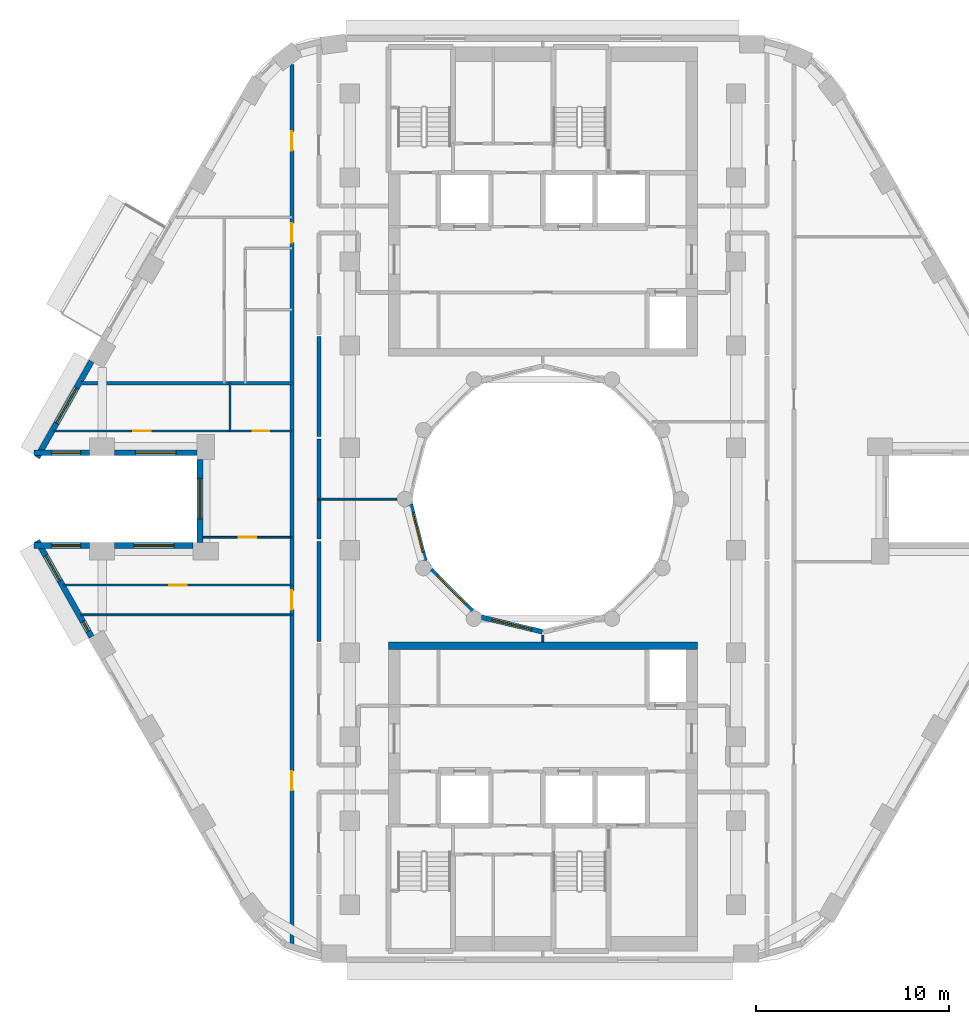
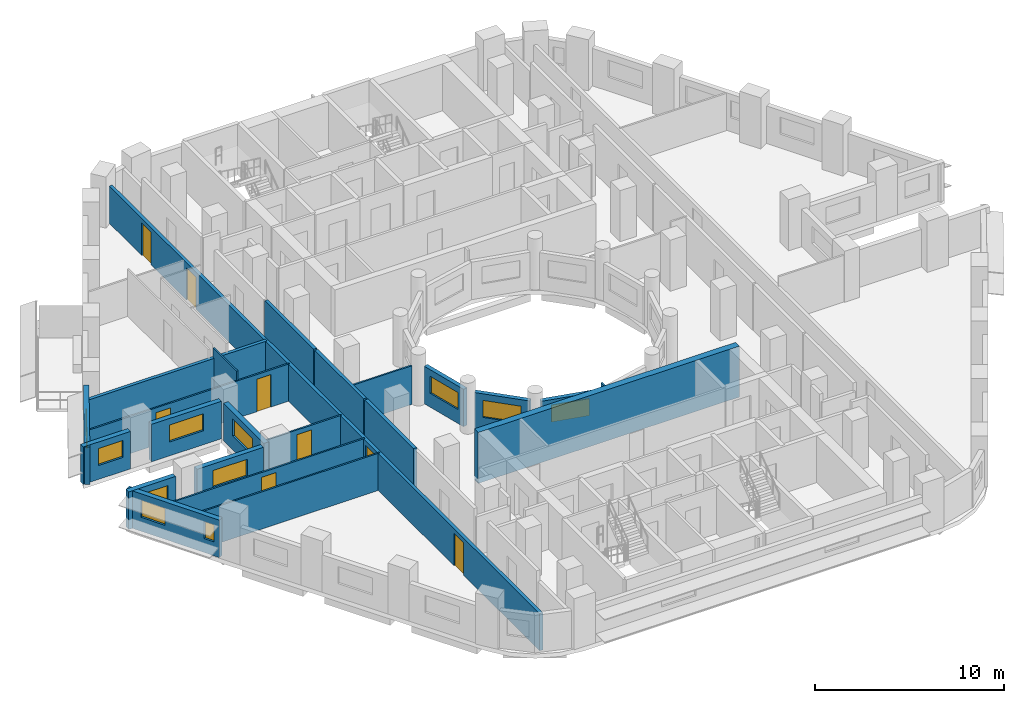
# One storey, part 4 of 13: 23 walls, 11 windows, 8 doors, 19 openings.
"""IFC4 building model written with IfcOpenShell, lengths in metres."""

from ifc_helpers import new_model, si_unit, direction, frame, frame_2d, origin, place, context, subcontext, project, spatial, rectangle, extrude, material, layer, layer_set, type_object, element, fill, save


model = new_model("IFC4")

# Units and contexts
model_context = context("Model", 3, precision=1e-05, world=origin(), true_north=direction((0.0, 1.0)))
body_context = subcontext(model_context, "Body", "Model", "MODEL_VIEW")
ifc_project = project(units=[si_unit("LENGTHUNIT", "METRE"), si_unit("AREAUNIT", "SQUARE_METRE"), si_unit("VOLUMEUNIT", "CUBIC_METRE"), si_unit("PLANEANGLEUNIT", "RADIAN"), si_unit("MASSUNIT", "GRAM", prefix="KILO")], contexts=[model_context])

# Site, building, storey
site_placement = place(None, origin())
site = spatial("IfcSite", under=ifc_project, at=site_placement, CompositionType="ELEMENT")
building_placement = place(site_placement, origin())
building = spatial("IfcBuilding", under=site, at=building_placement, Name="Nakaniwa Court", CompositionType="ELEMENT")
storey_placement = place(building_placement, frame((0.0, 0.0, 133.800048828125)))
storey = spatial("IfcBuildingStorey", under=building, at=storey_placement, Name="L34", CompositionType="ELEMENT", Elevation=133.800048828125)

# Walls
ifc_material_1 = material(Name="Acoustic double stud partition")
ifc_layer_1 = layer(ifc_material_1, 0.199951171875)
ifc_layer_set_1 = layer_set([ifc_layer_1], Name="Acoustic double stud partition")
wall_type_1 = type_object("IfcWallType", Name="Acoustic double stud partition 200", PredefinedType="PARTITIONING", material=ifc_layer_set_1)
for number, where, z_axis, x_axis, name in (
    (1, (68.39990234375, 72.627197265625, 0.0), (0.0, 0.0, 1.0), (0.0, 1.0, 0.0), "Partition PW-097"),
    (2, (68.39990234375, 77.92724609375, 0.0), (0.0, 0.0, 1.0), (0.0, 1.0, 0.0), "Partition PW-098"),
    (3, (68.39990234375, 83.227294921875, 0.0), (0.0, 0.0, 1.0), (0.0, 1.0, 0.0), "Partition PW-099"),
):
    element("IfcWall", number, at=place(storey_placement, frame(where, z_axis=z_axis, x_axis=x_axis)), inside=storey, type_object=wall_type_1, Name=name, PredefinedType="PARTITIONING", context=body_context, shape_type="SweptSolid", body=[
        extrude(rectangle(XDim=5.185546875, YDim=0.199951171875, at=frame_2d((2.5927734375, 0.0))), origin(), (0.0, 0.0, 1.0), 3.02490234375),
    ])

# Wall, openings, doors
wall_1_placement = place(storey_placement, frame((67.0, 56.833251953125, 0.0), z_axis=(0.0, 0.0, 1.0), x_axis=(0.0, 1.0, 0.0)))
wall_1 = element("IfcWall", 4, at=wall_1_placement, inside=storey, type_object=wall_type_1, Name="Partition PW-103", PredefinedType="PARTITIONING", context=body_context, shape_type="SweptSolid", body=[
    extrude(rectangle(XDim=45.660888671875, YDim=0.199951171875, at=frame_2d((22.83056640625, 0.0))), origin(), (0.0, 0.0, 1.0), 2.405029296875),
])
opening_1_placement = place(wall_1_placement, frame((8.083984375, 0.0, 0.0)))
opening_1 = element("IfcOpeningElement", 5, at=opening_1_placement, cuts=wall_1, Name="Opening D-02-07", PredefinedType="OPENING", context=body_context, shape_type="SweptSolid", body=[
    extrude(rectangle(XDim=1.0, YDim=2.10009765625, at=frame_2d((0.5, 1.050048828125))), frame((0.0, 0.10986328125, 0.0), z_axis=(0.0, -1.0, 0.0), x_axis=(1.0, 0.0, 0.0)), (0.0, 0.0, 1.0), 0.219970703125),
])
opening_2_placement = place(wall_1_placement, frame((17.44189453125, 0.0, 0.0)))
opening_2 = element("IfcOpeningElement", 6, at=opening_2_placement, cuts=wall_1, Name="Opening D-01-01", PredefinedType="OPENING", context=body_context, shape_type="SweptSolid", body=[
    extrude(rectangle(XDim=1.0, YDim=2.10009765625, at=frame_2d((0.5, 1.050048828125))), frame((0.0, 0.10986328125, 0.0), z_axis=(0.0, -1.0, 0.0), x_axis=(1.0, 0.0, 0.0)), (0.0, 0.0, 1.0), 0.219970703125),
])
opening_3_placement = place(wall_1_placement, frame((36.449951171875, 0.0, 0.0)))
opening_3 = element("IfcOpeningElement", 7, at=opening_3_placement, cuts=wall_1, Name="Opening D-01-02", PredefinedType="OPENING", context=body_context, shape_type="SweptSolid", body=[
    extrude(rectangle(XDim=1.0, YDim=2.10009765625, at=frame_2d((0.5, 1.050048828125))), frame((0.0, 0.10986328125, 0.0), z_axis=(0.0, -1.0, 0.0), x_axis=(1.0, 0.0, 0.0)), (0.0, 0.0, 1.0), 0.219970703125),
])
opening_4_placement = place(wall_1_placement, frame((41.202880859375, 0.0, 0.0)))
opening_4 = element("IfcOpeningElement", 8, at=opening_4_placement, cuts=wall_1, Name="Opening D-02-13", PredefinedType="OPENING", context=body_context, shape_type="SweptSolid", body=[
    extrude(rectangle(XDim=1.0, YDim=2.10009765625, at=frame_2d((0.5, 1.050048828125))), frame((0.0, 0.10986328125, 0.0), z_axis=(0.0, -1.0, 0.0), x_axis=(1.0, 0.0, 0.0)), (0.0, 0.0, 1.0), 0.219970703125),
])
ifc_material_2 = material(Name="Solid core timber door set, black veneer", Category="wood")
door_type_1 = type_object("IfcDoorType", Name="Flat entrance door 1000", OperationType="NOTDEFINED", PredefinedType="DOOR", material=ifc_material_2)
door_1_placement = place(opening_2_placement, origin())
door_1 = element("IfcDoor", 9, at=door_1_placement, inside=storey, type_object=door_type_1, Name="Door D-01-01 L34-029", OperationType="SINGLE_SWING_RIGHT", OverallHeight=2.10009765625, OverallWidth=1.0, PredefinedType="DOOR", context=body_context, shape_type="SweptSolid", body=[
    extrude(rectangle(XDim=1.0, YDim=2.10009765625, at=frame_2d((0.5, 1.050048828125))), frame((0.0, 0.02490234375, 0.0), z_axis=(0.0, -1.0, 0.0), x_axis=(1.0, 0.0, 0.0)), (0.0, 0.0, 1.0), 0.050048828125),
])
fill(opening_2, door_1)
door_2_placement = place(opening_3_placement, origin())
door_2 = element("IfcDoor", 10, at=door_2_placement, inside=storey, type_object=door_type_1, Name="Door D-01-02 L34-035", OperationType="SINGLE_SWING_RIGHT", OverallHeight=2.10009765625, OverallWidth=1.0, PredefinedType="DOOR", context=body_context, shape_type="SweptSolid", body=[
    extrude(rectangle(XDim=1.0, YDim=2.10009765625, at=frame_2d((0.5, 1.050048828125))), frame((0.0, 0.02490234375, 0.0), z_axis=(0.0, -1.0, 0.0), x_axis=(1.0, 0.0, 0.0)), (0.0, 0.0, 1.0), 0.050048828125),
])
fill(opening_3, door_2)
door_type_2 = type_object("IfcDoorType", Name="Internal door 1000", OperationType="NOTDEFINED", PredefinedType="DOOR", material=ifc_material_2)
door_3_placement = place(opening_1_placement, origin())
door_3 = element("IfcDoor", 11, at=door_3_placement, inside=storey, type_object=door_type_2, Name="Door D-02-07 L34-027", OperationType="SINGLE_SWING_RIGHT", OverallHeight=2.10009765625, OverallWidth=1.0, PredefinedType="DOOR", context=body_context, shape_type="SweptSolid", body=[
    extrude(rectangle(XDim=1.0, YDim=2.10009765625, at=frame_2d((0.5, 1.050048828125))), frame((0.0, 0.02490234375, 0.0), z_axis=(0.0, -1.0, 0.0), x_axis=(1.0, 0.0, 0.0)), (0.0, 0.0, 1.0), 0.050048828125),
])
fill(opening_1, door_3)
door_4_placement = place(opening_4_placement, origin())
door_4 = element("IfcDoor", 12, at=door_4_placement, inside=storey, type_object=door_type_2, Name="Door D-02-13 L34-042", OperationType="SINGLE_SWING_LEFT", OverallHeight=2.10009765625, OverallWidth=1.0, PredefinedType="DOOR", context=body_context, shape_type="SweptSolid", body=[
    extrude(rectangle(XDim=1.0, YDim=2.10009765625, at=frame_2d((0.5, 1.050048828125))), frame((0.0, 0.02490234375, 0.0), z_axis=(0.0, -1.0, 0.0), x_axis=(1.0, 0.0, 0.0)), (0.0, 0.0, 1.0), 0.050048828125),
])
fill(opening_4, door_4)

# Wall
wall_2_placement = place(storey_placement, frame((56.097900390625, 86.0, 0.0), z_axis=(0.0, 0.0, 1.0), x_axis=(1.0, 0.0, 0.0)))
element("IfcWall", 13, at=wall_2_placement, inside=storey, type_object=wall_type_1, Name="Partition PW-122", PredefinedType="PARTITIONING", context=body_context, shape_type="SweptSolid", body=[
    extrude(rectangle(XDim=10.901123046875, YDim=0.199951171875, at=frame_2d((5.45068359375, 0.0))), origin(), (0.0, 0.0, 1.0), 2.405029296875),
])

# Wall, opening, window
ifc_material_3 = material(Name="Charcoal ceramic cladding")
ifc_layer_2 = layer(ifc_material_3, 0.02, Name="Ceramic cladding")
ifc_material_4 = material(Name="Ventilated air cavity")
ifc_layer_3 = layer(ifc_material_4, 0.04, ventilated=True, Name="Ventilated cavity")
ifc_material_5 = material(Name="Mineral wool insulation")
ifc_layer_4 = layer(ifc_material_5, 0.1, Name="Insulation")
ifc_material_6 = material(Name="Cement bonded sheathing board")
ifc_layer_5 = layer(ifc_material_6, 0.012, Name="Sheathing")
ifc_material_7 = material(Name="Cold-formed galvanised stud frame with mineral wool infill")
ifc_layer_6 = layer(ifc_material_7, 0.1, Name="Stud frame")
ifc_material_8 = material(Name="Fire-rated gypsum plasterboard lining")
ifc_layer_7 = layer(ifc_material_8, 0.028, Name="Lining")
ifc_layer_set_2 = layer_set([ifc_layer_2, ifc_layer_3, ifc_layer_4, ifc_layer_5, ifc_layer_6, ifc_layer_7], Name="Charcoal ceramic faced external wall system")
wall_type_2 = type_object("IfcWallType", Name="Black ceramic faced external wall 300", PredefinedType="SOLIDWALL", material=ifc_layer_set_2)
wall_3_placement = place(storey_placement, frame((56.63427734375, 87.13720703125, 0.0), z_axis=(0.0, 0.0, 1.0), x_axis=(-0.492498306264, -0.87031340236, 0.0)))
wall_3 = element("IfcWall", 14, at=wall_3_placement, inside=storey, type_object=wall_type_2, Name="L34 external wall 14", PredefinedType="SOLIDWALL", context=body_context, shape_type="SweptSolid", body=[
    extrude(rectangle(XDim=5.7265625, YDim=0.300048828125, at=frame_2d((2.86328125, 0.0))), origin(), (0.0, 0.0, 1.0), 2.425048828125),
])
opening_5_placement = place(wall_3_placement, frame((1.582275390625, 0.0, 0.89990234375)))
opening_5 = element("IfcOpeningElement", 15, at=opening_5_placement, cuts=wall_3, Name="Opening W7.15", PredefinedType="OPENING", context=body_context, shape_type="SweptSolid", body=[
    extrude(rectangle(XDim=2.10009765625, YDim=1.10009765625, at=frame_2d((1.050048828125, 0.550048828125))), frame((0.0, 0.159912109375, 0.0), z_axis=(0.0, -1.0, 0.0), x_axis=(1.0, 0.0, 0.0)), (0.0, 0.0, 1.0), 0.320068359375),
])
ifc_material_9 = material(Name="Black anodised aluminium frame with dark low-E laminated double glazing", Category="aluminium")
window_type_1 = type_object("IfcWindowType", Name="Dark glass window 2100x1100 sill 900", PartitioningType="SINGLE_PANEL", PredefinedType="WINDOW", material=ifc_material_9)
window_1_placement = place(opening_5_placement, origin())
window_1 = element("IfcWindow", 16, at=window_1_placement, inside=storey, type_object=window_type_1, Name="L34 habitable room window 14-1", OverallHeight=1.10009765625, OverallWidth=2.10009765625, PartitioningType="SINGLE_PANEL", PredefinedType="WINDOW", context=body_context, shape_type="SweptSolid", body=[
    extrude(rectangle(XDim=2.10009765625, YDim=1.10009765625, at=frame_2d((1.050048828125, 0.550048828125))), frame((0.0, 0.030029296875, 0.0), z_axis=(0.0, -1.0, 0.0), x_axis=(1.0, 0.0, 0.0)), (0.0, 0.0, 1.0), 0.06005859375),
])
fill(opening_5, window_1)

wall_4_placement = place(storey_placement, frame((53.643310546875, 82.39990234375, 0.0), z_axis=(0.0, 0.0, 1.0), x_axis=(1.0, 0.0, 0.0)))
wall_4 = element("IfcWall", 17, at=wall_4_placement, inside=storey, type_object=wall_type_2, Name="L34 external wall 15", PredefinedType="SOLIDWALL", context=body_context, shape_type="SweptSolid", body=[
    extrude(rectangle(XDim=2.8876953125, YDim=0.300048828125, at=frame_2d((1.44384765625, 0.0))), origin(), (0.0, 0.0, 1.0), 2.425048828125),
])
opening_6_placement = place(wall_4_placement, frame((0.9189453125, 0.0, 0.89990234375)))
opening_6 = element("IfcOpeningElement", 18, at=opening_6_placement, cuts=wall_4, Name="Opening W5.16", PredefinedType="OPENING", context=body_context, shape_type="SweptSolid", body=[
    extrude(rectangle(XDim=1.5, YDim=1.10009765625, at=frame_2d((0.75, 0.550048828125))), frame((0.0, 0.159912109375, 0.0), z_axis=(0.0, -1.0, 0.0), x_axis=(1.0, 0.0, 0.0)), (0.0, 0.0, 1.0), 0.320068359375),
])
window_type_2 = type_object("IfcWindowType", Name="Dark glass window 1500x1100 sill 900", PartitioningType="SINGLE_PANEL", PredefinedType="WINDOW", material=ifc_material_9)
window_2_placement = place(opening_6_placement, origin())
window_2 = element("IfcWindow", 19, at=window_2_placement, inside=storey, type_object=window_type_2, Name="L34 living window 15-0", OverallHeight=1.10009765625, OverallWidth=1.5, PartitioningType="SINGLE_PANEL", PredefinedType="WINDOW", context=body_context, shape_type="SweptSolid", body=[
    extrude(rectangle(XDim=1.5, YDim=1.10009765625, at=frame_2d((0.75, 0.550048828125))), frame((0.0, 0.030029296875, 0.0), z_axis=(0.0, -1.0, 0.0), x_axis=(1.0, 0.0, 0.0)), (0.0, 0.0, 1.0), 0.06005859375),
])
fill(opening_6, window_2)

wall_5_placement = place(storey_placement, frame((57.822998046875, 82.39990234375, 0.0), z_axis=(0.0, 0.0, 1.0), x_axis=(1.0, 0.0, 0.0)))
wall_5 = element("IfcWall", 20, at=wall_5_placement, inside=storey, type_object=wall_type_2, Name="L34 external wall 16", PredefinedType="SOLIDWALL", context=body_context, shape_type="SweptSolid", body=[
    extrude(rectangle(XDim=4.272705078125, YDim=0.300048828125, at=frame_2d((2.13623046875, 0.0))), origin(), (0.0, 0.0, 1.0), 2.425048828125),
])
opening_7_placement = place(wall_5_placement, frame((1.086181640625, 0.0, 0.89990234375)))
opening_7 = element("IfcOpeningElement", 21, at=opening_7_placement, cuts=wall_5, Name="Opening W7.17", PredefinedType="OPENING", context=body_context, shape_type="SweptSolid", body=[
    extrude(rectangle(XDim=2.10009765625, YDim=1.10009765625, at=frame_2d((1.050048828125, 0.550048828125))), frame((0.0, 0.159912109375, 0.0), z_axis=(0.0, -1.0, 0.0), x_axis=(1.0, 0.0, 0.0)), (0.0, 0.0, 1.0), 0.320068359375),
])
window_3_placement = place(opening_7_placement, origin())
window_3 = element("IfcWindow", 22, at=window_3_placement, inside=storey, type_object=window_type_1, Name="L34 living window 16-0", OverallHeight=1.10009765625, OverallWidth=2.10009765625, PartitioningType="SINGLE_PANEL", PredefinedType="WINDOW", context=body_context, shape_type="SweptSolid", body=[
    extrude(rectangle(XDim=2.10009765625, YDim=1.10009765625, at=frame_2d((1.050048828125, 0.550048828125))), frame((0.0, 0.030029296875, 0.0), z_axis=(0.0, -1.0, 0.0), x_axis=(1.0, 0.0, 0.0)), (0.0, 0.0, 1.0), 0.06005859375),
])
fill(opening_7, window_3)

wall_6_placement = place(storey_placement, frame((62.24169921875, 82.053955078125, 0.0), z_axis=(0.0, 0.0, 1.0), x_axis=(0.0, -1.0, 0.0)))
wall_6 = element("IfcWall", 23, at=wall_6_placement, inside=storey, type_object=wall_type_2, Name="L34 external wall 17", PredefinedType="SOLIDWALL", context=body_context, shape_type="SweptSolid", body=[
    extrude(rectangle(XDim=4.307861328125, YDim=0.300048828125, at=frame_2d((2.15380859375, 0.0))), origin(), (0.0, 0.0, 1.0), 2.425048828125),
])
opening_8_placement = place(wall_6_placement, frame((0.9765625, 0.0, 0.89990234375)))
opening_8 = element("IfcOpeningElement", 24, at=opening_8_placement, cuts=wall_6, Name="Opening W7.18", PredefinedType="OPENING", context=body_context, shape_type="SweptSolid", body=[
    extrude(rectangle(XDim=2.10009765625, YDim=1.10009765625, at=frame_2d((1.050048828125, 0.550048828125))), frame((0.0, 0.159912109375, 0.0), z_axis=(0.0, -1.0, 0.0), x_axis=(1.0, 0.0, 0.0)), (0.0, 0.0, 1.0), 0.320068359375),
])
window_4_placement = place(opening_8_placement, origin())
window_4 = element("IfcWindow", 25, at=window_4_placement, inside=storey, type_object=window_type_1, Name="L34 living window 17-0", OverallHeight=1.10009765625, OverallWidth=2.10009765625, PartitioningType="SINGLE_PANEL", PredefinedType="WINDOW", context=body_context, shape_type="SweptSolid", body=[
    extrude(rectangle(XDim=2.10009765625, YDim=1.10009765625, at=frame_2d((1.050048828125, 0.550048828125))), frame((0.0, 0.030029296875, 0.0), z_axis=(0.0, -1.0, 0.0), x_axis=(1.0, 0.0, 0.0)), (0.0, 0.0, 1.0), 0.06005859375),
])
fill(opening_8, window_4)

wall_7_placement = place(storey_placement, frame((61.8955078125, 77.60009765625, 0.0), z_axis=(0.0, 0.0, 1.0), x_axis=(-1.0, 0.0, 0.0)))
wall_7 = element("IfcWall", 26, at=wall_7_placement, inside=storey, type_object=wall_type_2, Name="L34 external wall 18", PredefinedType="SOLIDWALL", context=body_context, shape_type="SweptSolid", body=[
    extrude(rectangle(XDim=4.072509765625, YDim=0.300048828125, at=frame_2d((2.0361328125, 0.0))), origin(), (0.0, 0.0, 1.0), 2.425048828125),
])
opening_9_placement = place(wall_7_placement, frame((0.986083984375, 0.0, 0.89990234375)))
opening_9 = element("IfcOpeningElement", 27, at=opening_9_placement, cuts=wall_7, Name="Opening W7.19", PredefinedType="OPENING", context=body_context, shape_type="SweptSolid", body=[
    extrude(rectangle(XDim=2.10009765625, YDim=1.10009765625, at=frame_2d((1.050048828125, 0.550048828125))), frame((0.0, 0.159912109375, 0.0), z_axis=(0.0, -1.0, 0.0), x_axis=(1.0, 0.0, 0.0)), (0.0, 0.0, 1.0), 0.320068359375),
])
window_5_placement = place(opening_9_placement, origin())
window_5 = element("IfcWindow", 28, at=window_5_placement, inside=storey, type_object=window_type_1, Name="L34 habitable room window 18-0", OverallHeight=1.10009765625, OverallWidth=2.10009765625, PartitioningType="SINGLE_PANEL", PredefinedType="WINDOW", context=body_context, shape_type="SweptSolid", body=[
    extrude(rectangle(XDim=2.10009765625, YDim=1.10009765625, at=frame_2d((1.050048828125, 0.550048828125))), frame((0.0, 0.030029296875, 0.0), z_axis=(0.0, -1.0, 0.0), x_axis=(1.0, 0.0, 0.0)), (0.0, 0.0, 1.0), 0.06005859375),
])
fill(opening_9, window_5)

wall_8_placement = place(storey_placement, frame((56.531005859375, 77.60009765625, 0.0), z_axis=(0.0, 0.0, 1.0), x_axis=(-1.0, 0.0, 0.0)))
wall_8 = element("IfcWall", 29, at=wall_8_placement, inside=storey, type_object=wall_type_2, Name="L34 external wall 19", PredefinedType="SOLIDWALL", context=body_context, shape_type="SweptSolid", body=[
    extrude(rectangle(XDim=2.8876953125, YDim=0.300048828125, at=frame_2d((1.44384765625, 0.0))), origin(), (0.0, 0.0, 1.0), 2.425048828125),
])
opening_10_placement = place(wall_8_placement, frame((0.468994140625, 0.0, 0.89990234375)))
opening_10 = element("IfcOpeningElement", 30, at=opening_10_placement, cuts=wall_8, Name="Opening W5.20", PredefinedType="OPENING", context=body_context, shape_type="SweptSolid", body=[
    extrude(rectangle(XDim=1.5, YDim=1.10009765625, at=frame_2d((0.75, 0.550048828125))), frame((0.0, 0.159912109375, 0.0), z_axis=(0.0, -1.0, 0.0), x_axis=(1.0, 0.0, 0.0)), (0.0, 0.0, 1.0), 0.320068359375),
])
window_6_placement = place(opening_10_placement, origin())
window_6 = element("IfcWindow", 31, at=window_6_placement, inside=storey, type_object=window_type_2, Name="L34 habitable room window 19-0", OverallHeight=1.10009765625, OverallWidth=1.5, PartitioningType="SINGLE_PANEL", PredefinedType="WINDOW", context=body_context, shape_type="SweptSolid", body=[
    extrude(rectangle(XDim=1.5, YDim=1.10009765625, at=frame_2d((0.75, 0.550048828125))), frame((0.0, 0.030029296875, 0.0), z_axis=(0.0, -1.0, 0.0), x_axis=(1.0, 0.0, 0.0)), (0.0, 0.0, 1.0), 0.06005859375),
])
fill(opening_10, window_6)

# Wall, openings, windows
wall_9_placement = place(storey_placement, frame((53.81396484375, 77.8466796875, 0.0), z_axis=(0.0, 0.0, 1.0), x_axis=(0.492498306264, -0.87031340236, 0.0)))
wall_9 = element("IfcWall", 32, at=wall_9_placement, inside=storey, type_object=wall_type_2, Name="L34 external wall 20", PredefinedType="SOLIDWALL", context=body_context, shape_type="SweptSolid", body=[
    extrude(rectangle(XDim=5.7265625, YDim=0.300048828125, at=frame_2d((2.86328125, 0.0))), origin(), (0.0, 0.0, 1.0), 2.425048828125),
])
opening_11_placement = place(wall_9_placement, frame((0.8935546875, 0.0, 0.89990234375)))
opening_11 = element("IfcOpeningElement", 33, at=opening_11_placement, cuts=wall_9, Name="Opening W5.21", PredefinedType="OPENING", context=body_context, shape_type="SweptSolid", body=[
    extrude(rectangle(XDim=1.5, YDim=1.10009765625, at=frame_2d((0.75, 0.550048828125))), frame((0.0, 0.159912109375, 0.0), z_axis=(0.0, -1.0, 0.0), x_axis=(1.0, 0.0, 0.0)), (0.0, 0.0, 1.0), 0.320068359375),
])
opening_12_placement = place(wall_9_placement, frame((4.796142578125, 0.0, 0.89990234375)))
opening_12 = element("IfcOpeningElement", 34, at=opening_12_placement, cuts=wall_9, Name="Opening W8.22", PredefinedType="OPENING", context=body_context, shape_type="SweptSolid", body=[
    extrude(rectangle(XDim=0.60009765625, YDim=1.10009765625, at=frame_2d((0.300048828125, 0.550048828125))), frame((0.0, 0.159912109375, 0.0), z_axis=(0.0, -1.0, 0.0), x_axis=(1.0, 0.0, 0.0)), (0.0, 0.0, 1.0), 0.320068359375),
])
window_7_placement = place(opening_11_placement, origin())
window_7 = element("IfcWindow", 35, at=window_7_placement, inside=storey, type_object=window_type_2, Name="L34 habitable room window 20-0", OverallHeight=1.10009765625, OverallWidth=1.5, PartitioningType="SINGLE_PANEL", PredefinedType="WINDOW", context=body_context, shape_type="SweptSolid", body=[
    extrude(rectangle(XDim=1.5, YDim=1.10009765625, at=frame_2d((0.75, 0.550048828125))), frame((0.0, 0.030029296875, 0.0), z_axis=(0.0, -1.0, 0.0), x_axis=(1.0, 0.0, 0.0)), (0.0, 0.0, 1.0), 0.06005859375),
])
fill(opening_11, window_7)
window_type_3 = type_object("IfcWindowType", Name="Dark glass window 600x1100 sill 900", PartitioningType="SINGLE_PANEL", PredefinedType="WINDOW", material=ifc_material_9)
window_8_placement = place(opening_12_placement, origin())
window_8 = element("IfcWindow", 36, at=window_8_placement, inside=storey, type_object=window_type_3, Name="L34 habitable room window 20-2", OverallHeight=1.10009765625, OverallWidth=0.60009765625, PartitioningType="SINGLE_PANEL", PredefinedType="WINDOW", context=body_context, shape_type="SweptSolid", body=[
    extrude(rectangle(XDim=0.60009765625, YDim=1.10009765625, at=frame_2d((0.300048828125, 0.550048828125))), frame((0.0, 0.030029296875, 0.0), z_axis=(0.0, -1.0, 0.0), x_axis=(1.0, 0.0, 0.0)), (0.0, 0.0, 1.0), 0.06005859375),
])
fill(opening_12, window_8)

# Wall, opening, window
ifc_layer_8 = layer(ifc_material_3, 0.02, Name="Ceramic cladding")
ifc_layer_9 = layer(ifc_material_4, 0.04, ventilated=True, Name="Ventilated cavity")
ifc_layer_10 = layer(ifc_material_5, 0.075, Name="Insulation")
ifc_layer_11 = layer(ifc_material_6, 0.012, Name="Sheathing")
ifc_layer_12 = layer(ifc_material_7, 0.075, Name="Stud frame")
ifc_layer_13 = layer(ifc_material_8, 0.028, Name="Lining")
ifc_layer_set_3 = layer_set([ifc_layer_8, ifc_layer_9, ifc_layer_10, ifc_layer_11, ifc_layer_12, ifc_layer_13], Name="Charcoal ceramic faced external wall system")
wall_type_3 = type_object("IfcWallType", Name="Charcoal ceramic faced well wall 250", PredefinedType="SOLIDWALL", material=ifc_layer_set_3)
wall_10_placement = place(storey_placement, frame((79.970947265625, 73.12841796875, 0.0), z_axis=(0.0, 0.0, 1.0), x_axis=(-0.972773113459, 0.231759508395, 0.0)))
wall_10 = element("IfcWall", 37, at=wall_10_placement, inside=storey, type_object=wall_type_3, Name="L34 external wall 39", PredefinedType="SOLIDWALL", context=body_context, shape_type="SweptSolid", body=[
    extrude(rectangle(XDim=3.24560546875, YDim=0.25, at=frame_2d((1.622802734375, 0.0))), origin(), (0.0, 0.0, 1.0), 2.425048828125),
])
opening_13_placement = place(wall_10_placement, frame((0.57275390625, 0.0, 0.89990234375)))
opening_13 = element("IfcOpeningElement", 38, at=opening_13_placement, cuts=wall_10, Name="Opening W7.38", PredefinedType="OPENING", context=body_context, shape_type="SweptSolid", body=[
    extrude(rectangle(XDim=2.10009765625, YDim=1.10009765625, at=frame_2d((1.050048828125, 0.550048828125))), frame((0.0, 0.135009765625, 0.0), z_axis=(0.0, -1.0, 0.0), x_axis=(1.0, 0.0, 0.0)), (0.0, 0.0, 1.0), 0.27001953125),
])
window_9_placement = place(opening_13_placement, origin())
window_9 = element("IfcWindow", 39, at=window_9_placement, inside=storey, type_object=window_type_1, Name="L34 habitable room window 39-0", OverallHeight=1.10009765625, OverallWidth=2.10009765625, PartitioningType="SINGLE_PANEL", PredefinedType="WINDOW", context=body_context, shape_type="SweptSolid", body=[
    extrude(rectangle(XDim=2.10009765625, YDim=1.10009765625, at=frame_2d((1.050048828125, 0.550048828125))), frame((0.0, 0.030029296875, 0.0), z_axis=(0.0, -1.0, 0.0), x_axis=(1.0, 0.0, 0.0)), (0.0, 0.0, 1.0), 0.06005859375),
])
fill(opening_13, window_9)

wall_11_placement = place(storey_placement, frame((76.339111328125, 74.1943359375, 0.0), z_axis=(0.0, 0.0, 1.0), x_axis=(-0.707106781187, 0.707106781187, 0.0)))
wall_11 = element("IfcWall", 40, at=wall_11_placement, inside=storey, type_object=wall_type_3, Name="L34 external wall 40", PredefinedType="SOLIDWALL", context=body_context, shape_type="SweptSolid", body=[
    extrude(rectangle(XDim=3.033203125, YDim=0.25, at=frame_2d((1.5166015625, 0.0))), origin(), (0.0, 0.0, 1.0), 2.425048828125),
])
opening_14_placement = place(wall_11_placement, frame((0.466552734375, 0.0, 0.89990234375)))
opening_14 = element("IfcOpeningElement", 41, at=opening_14_placement, cuts=wall_11, Name="Opening W7.39", PredefinedType="OPENING", context=body_context, shape_type="SweptSolid", body=[
    extrude(rectangle(XDim=2.10009765625, YDim=1.10009765625, at=frame_2d((1.050048828125, 0.550048828125))), frame((0.0, 0.135009765625, 0.0), z_axis=(0.0, -1.0, 0.0), x_axis=(1.0, 0.0, 0.0)), (0.0, 0.0, 1.0), 0.27001953125),
])
window_10_placement = place(opening_14_placement, origin())
window_10 = element("IfcWindow", 42, at=window_10_placement, inside=storey, type_object=window_type_1, Name="L34 habitable room window 40-0", OverallHeight=1.10009765625, OverallWidth=2.10009765625, PartitioningType="SINGLE_PANEL", PredefinedType="WINDOW", context=body_context, shape_type="SweptSolid", body=[
    extrude(rectangle(XDim=2.10009765625, YDim=1.10009765625, at=frame_2d((1.050048828125, 0.550048828125))), frame((0.0, 0.030029296875, 0.0), z_axis=(0.0, -1.0, 0.0), x_axis=(1.0, 0.0, 0.0)), (0.0, 0.0, 1.0), 0.06005859375),
])
fill(opening_14, window_10)

wall_12_placement = place(storey_placement, frame((73.88330078125, 76.813232421875, 0.0), z_axis=(0.0, 0.0, 1.0), x_axis=(-0.247055971283, 0.969001211069, 0.0)))
wall_12 = element("IfcWall", 43, at=wall_12_placement, inside=storey, type_object=wall_type_3, Name="L34 external wall 41", PredefinedType="SOLIDWALL", context=body_context, shape_type="SweptSolid", body=[
    extrude(rectangle(XDim=3.010009765625, YDim=0.25, at=frame_2d((1.5048828125, 0.0))), origin(), (0.0, 0.0, 1.0), 2.425048828125),
])
opening_15_placement = place(wall_12_placement, frame((0.441162109375, 0.0, 0.89990234375)))
opening_15 = element("IfcOpeningElement", 44, at=opening_15_placement, cuts=wall_12, Name="Opening W7.40", PredefinedType="OPENING", context=body_context, shape_type="SweptSolid", body=[
    extrude(rectangle(XDim=2.10009765625, YDim=1.10009765625, at=frame_2d((1.050048828125, 0.550048828125))), frame((0.0, 0.135009765625, 0.0), z_axis=(0.0, -1.0, 0.0), x_axis=(1.0, 0.0, 0.0)), (0.0, 0.0, 1.0), 0.27001953125),
])
window_11_placement = place(opening_15_placement, origin())
window_11 = element("IfcWindow", 45, at=window_11_placement, inside=storey, type_object=window_type_1, Name="L34 habitable room window 41-0", OverallHeight=1.10009765625, OverallWidth=2.10009765625, PartitioningType="SINGLE_PANEL", PredefinedType="WINDOW", context=body_context, shape_type="SweptSolid", body=[
    extrude(rectangle(XDim=2.10009765625, YDim=1.10009765625, at=frame_2d((1.050048828125, 0.550048828125))), frame((0.0, 0.030029296875, 0.0), z_axis=(0.0, -1.0, 0.0), x_axis=(1.0, 0.0, 0.0)), (0.0, 0.0, 1.0), 0.06005859375),
])
fill(opening_15, window_11)

# Walls
ifc_material_10 = material(Name="Concrete C80/100", Category="concrete")
ifc_layer_14 = layer(ifc_material_10, 0.39990234375)
ifc_layer_set_4 = layer_set([ifc_layer_14], Name="Concrete C80/100")
wall_type_4 = type_object("IfcWallType", Name="Concrete core well wall 400 C80", PredefinedType="SHEAR", material=ifc_layer_set_4)
wall_13_placement = place(storey_placement, frame((72.00390625, 72.39990234375, -0.275146484375), z_axis=(0.0, 0.0, 1.0), x_axis=(1.0, 0.0, 0.0)))
element("IfcWall", 46, at=wall_13_placement, inside=storey, type_object=wall_type_4, Name="Core wall SW-129", PredefinedType="SHEAR", context=body_context, shape_type="SweptSolid", body=[
    extrude(rectangle(XDim=15.9921875, YDim=0.39990234375, at=frame_2d((7.99609375, 0.0))), origin(), (0.0, 0.0, 1.0), 3.300048828125),
])
ifc_material_11 = material(Name="Single stud plasterboard partition")
ifc_layer_15 = layer(ifc_material_11, 0.10009765625)
ifc_layer_set_5 = layer_set([ifc_layer_15], Name="Single stud plasterboard partition")
wall_type_5 = type_object("IfcWallType", Name="Single stud plasterboard partition 100", PredefinedType="PARTITIONING", material=ifc_layer_set_5)
wall_14_placement = place(storey_placement, frame((80.0, 72.60009765625, 0.0), z_axis=(0.0, 0.0, 1.0), x_axis=(0.0, 1.0, 0.0)))
element("IfcWall", 47, at=wall_14_placement, inside=storey, type_object=wall_type_5, Name="Partition PW-109", PredefinedType="PARTITIONING", context=body_context, shape_type="SweptSolid", body=[
    extrude(rectangle(XDim=0.351806640625, YDim=0.10009765625, at=frame_2d((0.17578125, 0.0))), origin(), (0.0, 0.0, 1.0), 3.02490234375),
])
wall_15_placement = place(storey_placement, frame((56.097900390625, 74.0, 0.0), z_axis=(0.0, 0.0, 1.0), x_axis=(1.0, 0.0, 0.0)))
element("IfcWall", 48, at=wall_15_placement, inside=storey, type_object=wall_type_5, Name="Partition PW-116", PredefinedType="PARTITIONING", context=body_context, shape_type="SweptSolid", body=[
    extrude(rectangle(XDim=10.901123046875, YDim=0.10009765625, at=frame_2d((5.45068359375, 0.0))), origin(), (0.0, 0.0, 1.0), 2.405029296875),
])
wall_16_placement = place(storey_placement, frame((68.40087890625, 80.0, 0.0), z_axis=(0.0, 0.0, 1.0), x_axis=(1.0, 0.0, 0.0)))
element("IfcWall", 49, at=wall_16_placement, inside=storey, type_object=wall_type_5, Name="Partition PW-117", PredefinedType="PARTITIONING", context=body_context, shape_type="SweptSolid", body=[
    extrude(rectangle(XDim=4.029052734375, YDim=0.10009765625, at=frame_2d((2.0146484375, 0.0))), origin(), (0.0, 0.0, 1.0), 2.5048828125),
])

# Wall, opening, door
wall_17_placement = place(storey_placement, frame((55.202880859375, 75.550048828125, 0.0), z_axis=(0.0, 0.0, 1.0), x_axis=(1.0, 0.0, 0.0)))
wall_17 = element("IfcWall", 50, at=wall_17_placement, inside=storey, type_object=wall_type_5, Name="Partition PW-118", PredefinedType="PARTITIONING", context=body_context, shape_type="SweptSolid", body=[
    extrude(rectangle(XDim=11.796142578125, YDim=0.10009765625, at=frame_2d((5.89794921875, 0.0))), origin(), (0.0, 0.0, 1.0), 2.405029296875),
])
opening_16_placement = place(wall_17_placement, frame((5.447998046875, 0.0, 0.0)))
opening_16 = element("IfcOpeningElement", 51, at=opening_16_placement, cuts=wall_17, Name="Opening D-33-01", PredefinedType="OPENING", context=body_context, shape_type="SweptSolid", body=[
    extrude(rectangle(XDim=0.89990234375, YDim=2.10009765625, at=frame_2d((0.449951171875, 1.050048828125))), frame((0.0, 0.06005859375, 0.0), z_axis=(0.0, -1.0, 0.0), x_axis=(1.0, 0.0, 0.0)), (0.0, 0.0, 1.0), 0.1201171875),
])
door_type_3 = type_object("IfcDoorType", Name="Internal door 900", OperationType="NOTDEFINED", PredefinedType="DOOR", material=ifc_material_2)
door_5_placement = place(opening_16_placement, origin())
door_5 = element("IfcDoor", 52, at=door_5_placement, inside=storey, type_object=door_type_3, Name="Door D-33-01 L34-030", OperationType="SINGLE_SWING_LEFT", OverallHeight=2.10009765625, OverallWidth=0.89990234375, PredefinedType="DOOR", context=body_context, shape_type="SweptSolid", body=[
    extrude(rectangle(XDim=0.89990234375, YDim=2.10009765625, at=frame_2d((0.449951171875, 1.050048828125))), frame((0.0, 0.02490234375, 0.0), z_axis=(0.0, -1.0, 0.0), x_axis=(1.0, 0.0, 0.0)), (0.0, 0.0, 1.0), 0.050048828125),
])
fill(opening_16, door_5)

wall_18_placement = place(storey_placement, frame((62.3916015625, 78.02490234375, 0.0), z_axis=(0.0, 0.0, 1.0), x_axis=(1.0, 0.0, 0.0)))
wall_18 = element("IfcWall", 53, at=wall_18_placement, inside=storey, type_object=wall_type_5, Name="Partition PW-119", PredefinedType="PARTITIONING", context=body_context, shape_type="SweptSolid", body=[
    extrude(rectangle(XDim=4.607421875, YDim=0.10009765625, at=frame_2d((2.3037109375, 0.0))), origin(), (0.0, 0.0, 1.0), 2.405029296875),
])
opening_17_placement = place(wall_18_placement, frame((1.85400390625, 0.0, 0.0)))
opening_17 = element("IfcOpeningElement", 54, at=opening_17_placement, cuts=wall_18, Name="Opening D-33-02", PredefinedType="OPENING", context=body_context, shape_type="SweptSolid", body=[
    extrude(rectangle(XDim=0.89990234375, YDim=2.10009765625, at=frame_2d((0.449951171875, 1.050048828125))), frame((0.0, 0.06005859375, 0.0), z_axis=(0.0, -1.0, 0.0), x_axis=(1.0, 0.0, 0.0)), (0.0, 0.0, 1.0), 0.1201171875),
])
door_6_placement = place(opening_17_placement, origin())
door_6 = element("IfcDoor", 55, at=door_6_placement, inside=storey, type_object=door_type_3, Name="Door D-33-02 L34-031", OperationType="SINGLE_SWING_RIGHT", OverallHeight=2.10009765625, OverallWidth=0.89990234375, PredefinedType="DOOR", context=body_context, shape_type="SweptSolid", body=[
    extrude(rectangle(XDim=0.89990234375, YDim=2.10009765625, at=frame_2d((0.449951171875, 1.050048828125))), frame((0.0, 0.02490234375, 0.0), z_axis=(0.0, -1.0, 0.0), x_axis=(1.0, 0.0, 0.0)), (0.0, 0.0, 1.0), 0.050048828125),
])
fill(opening_17, door_6)

# Wall, openings, doors
wall_19_placement = place(storey_placement, frame((54.668701171875, 83.52490234375, 0.0), z_axis=(0.0, 0.0, 1.0), x_axis=(1.0, 0.0, 0.0)))
wall_19 = element("IfcWall", 56, at=wall_19_placement, inside=storey, type_object=wall_type_5, Name="Partition PW-120", PredefinedType="PARTITIONING", context=body_context, shape_type="SweptSolid", body=[
    extrude(rectangle(XDim=12.330322265625, YDim=0.10009765625, at=frame_2d((6.1650390625, 0.0))), origin(), (0.0, 0.0, 1.0), 2.405029296875),
])
opening_18_placement = place(wall_19_placement, frame((10.304931640625, 0.0, 0.0)))
opening_18 = element("IfcOpeningElement", 57, at=opening_18_placement, cuts=wall_19, Name="Opening D-03-01", PredefinedType="OPENING", context=body_context, shape_type="SweptSolid", body=[
    extrude(rectangle(XDim=0.85009765625, YDim=2.10009765625, at=frame_2d((0.425048828125, 1.050048828125))), frame((0.0, 0.06005859375, 0.0), z_axis=(0.0, -1.0, 0.0), x_axis=(1.0, 0.0, 0.0)), (0.0, 0.0, 1.0), 0.1201171875),
])
opening_19_placement = place(wall_19_placement, frame((4.114990234375, 0.0, 0.0)))
opening_19 = element("IfcOpeningElement", 58, at=opening_19_placement, cuts=wall_19, Name="Opening D-33-03", PredefinedType="OPENING", context=body_context, shape_type="SweptSolid", body=[
    extrude(rectangle(XDim=0.89990234375, YDim=2.10009765625, at=frame_2d((0.449951171875, 1.050048828125))), frame((0.0, 0.06005859375, 0.0), z_axis=(0.0, -1.0, 0.0), x_axis=(1.0, 0.0, 0.0)), (0.0, 0.0, 1.0), 0.1201171875),
])
ifc_material_12 = material(Name="Moisture sealed timber door set", Category="wood")
door_type_4 = type_object("IfcDoorType", Name="Bathroom door 850", OperationType="NOTDEFINED", PredefinedType="DOOR", material=ifc_material_12)
door_7_placement = place(opening_18_placement, origin())
door_7 = element("IfcDoor", 59, at=door_7_placement, inside=storey, type_object=door_type_4, Name="Door D-03-01 L34-032", OperationType="SINGLE_SWING_LEFT", OverallHeight=2.10009765625, OverallWidth=0.85009765625, PredefinedType="DOOR", context=body_context, shape_type="SweptSolid", body=[
    extrude(rectangle(XDim=0.85009765625, YDim=2.10009765625, at=frame_2d((0.425048828125, 1.050048828125))), frame((0.0, 0.02490234375, 0.0), z_axis=(0.0, -1.0, 0.0), x_axis=(1.0, 0.0, 0.0)), (0.0, 0.0, 1.0), 0.050048828125),
])
fill(opening_18, door_7)
door_8_placement = place(opening_19_placement, origin())
door_8 = element("IfcDoor", 60, at=door_8_placement, inside=storey, type_object=door_type_3, Name="Door D-33-03 L34-033", OperationType="SINGLE_SWING_RIGHT", OverallHeight=2.10009765625, OverallWidth=0.89990234375, PredefinedType="DOOR", context=body_context, shape_type="SweptSolid", body=[
    extrude(rectangle(XDim=0.89990234375, YDim=2.10009765625, at=frame_2d((0.449951171875, 1.050048828125))), frame((0.0, 0.02490234375, 0.0), z_axis=(0.0, -1.0, 0.0), x_axis=(1.0, 0.0, 0.0)), (0.0, 0.0, 1.0), 0.050048828125),
])
fill(opening_19, door_8)

# Wall
wall_20_placement = place(storey_placement, frame((63.799072265625, 83.52490234375, 0.0), z_axis=(0.0, 0.0, 1.0), x_axis=(0.0, 1.0, 0.0)))
element("IfcWall", 61, at=wall_20_placement, inside=storey, type_object=wall_type_5, Name="Partition PW-121", PredefinedType="PARTITIONING", context=body_context, shape_type="SweptSolid", body=[
    extrude(rectangle(XDim=2.47509765625, YDim=0.10009765625, at=frame_2d((1.237548828125, 0.0))), origin(), (0.0, 0.0, 1.0), 3.02490234375),
])

save(model, "model.ifc")
